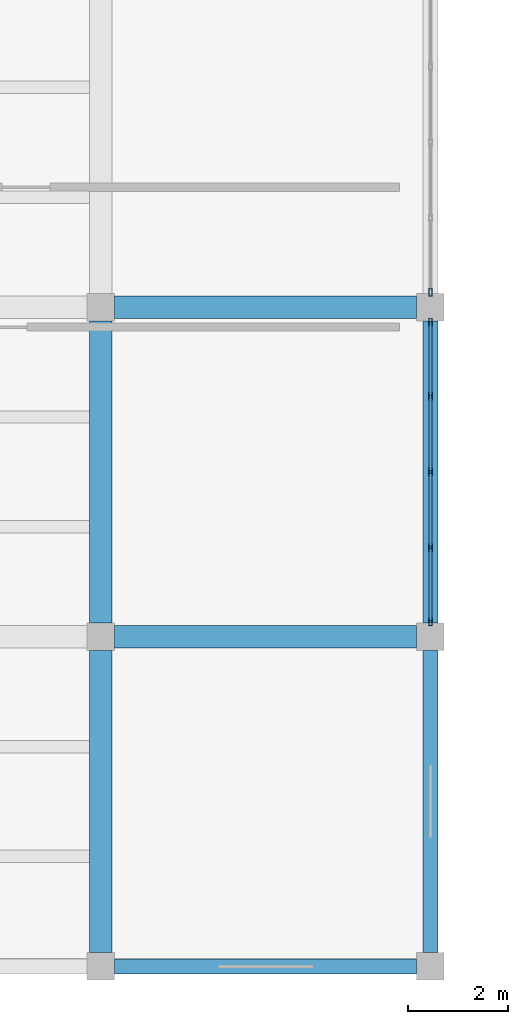
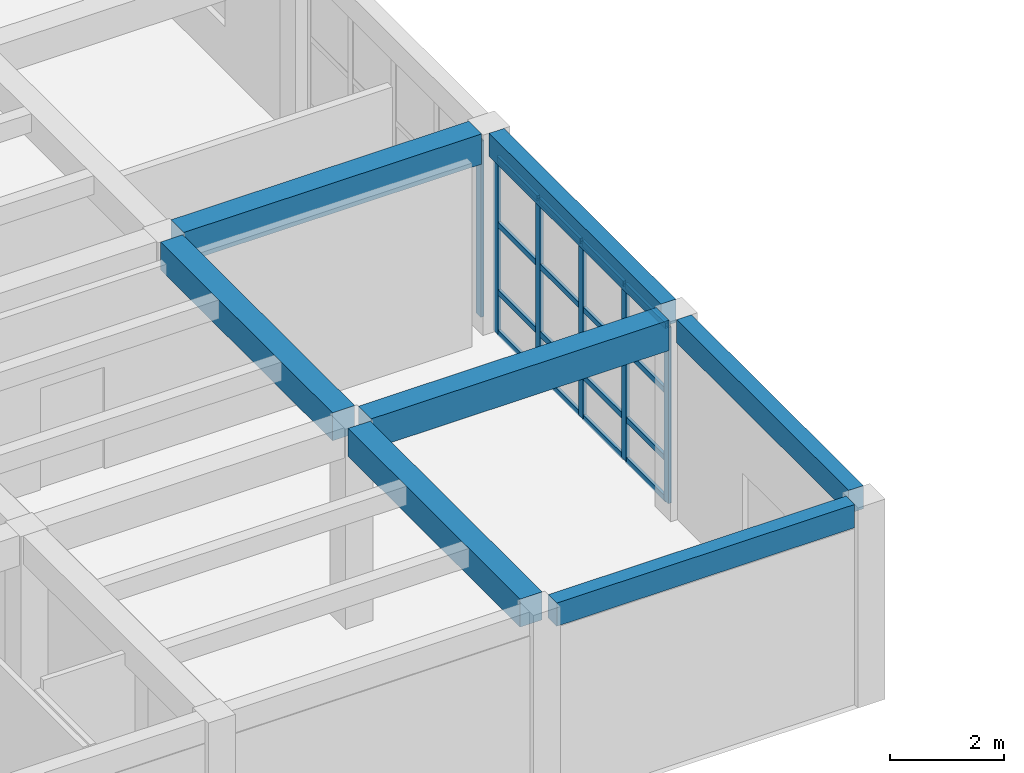
# One storey, part 9 of 48: 22 members, 7 beams, 2 elements without a shape of their own.
"""IFC4 building model written with IfcOpenShell, lengths in metres."""

from ifc_helpers import new_model, si_unit, direction, frame, origin, origin_2d, place, context, subcontext, project, spatial, rectangle, hollow_rectangle, extrude, material, layer, layer_set, material_profile, profile_set, type_object, element, aggregate, save


model = new_model("IFC4")

# Units and contexts
model_context = context("Model", 3, precision=1e-05, world=origin(), true_north=direction((0.0, 1.0)))
body_context = subcontext(model_context, "Body", "Model", "MODEL_VIEW")
ifc_project = project(units=[si_unit("LENGTHUNIT", "METRE"), si_unit("AREAUNIT", "SQUARE_METRE"), si_unit("VOLUMEUNIT", "CUBIC_METRE"), si_unit("PLANEANGLEUNIT", "RADIAN"), si_unit("MASSUNIT", "GRAM", prefix="KILO")], contexts=[model_context])

# Site, building, storey
site_placement = place(None, origin())
site = spatial("IfcSite", under=ifc_project, at=site_placement, CompositionType="ELEMENT")
building_placement = place(site_placement, origin())
building = spatial("IfcBuilding", under=site, at=building_placement, Name="Kharisveld Research Institute", CompositionType="ELEMENT")
storey_placement = place(building_placement, frame((0.0, 0.0, 14.10009765625)))
storey = spatial("IfcBuildingStorey", under=building, at=storey_placement, Name="L03", CompositionType="ELEMENT", Elevation=14.10009765625)

# Beams
ifc_material_1 = material(Name="Concrete C40/50", Category="concrete")
ifc_material_profile_1 = material_profile(ifc_material_1, rectangle(XDim=0.449951171875, YDim=0.60009765625, at=origin_2d()))
ifc_profile_set_1 = profile_set([ifc_material_profile_1], Name="Concrete C40/50")
beam_type_1 = type_object("IfcBeamType", Name="BM_RC_450x600", PredefinedType="BEAM", material=ifc_profile_set_1)
beam_1_placement = place(storey_placement, frame((33.60009765625, 0.47509765625, 4.0), z_axis=(0.0, 1.0, 0.0), x_axis=(-1.0, 0.0, 0.0)))
element("IfcBeam", 1, at=beam_1_placement, inside=storey, type_object=beam_type_1, Name="BM:V3:L03:V5_0", PredefinedType="BEAM", context=body_context, shape_type="SweptSolid", body=[
    extrude(rectangle(XDim=0.449951171875, YDim=0.60009765625, at=origin_2d()), origin(), (0.0, 0.0, 1.0), 6.0498046875),
])
beam_2_placement = place(storey_placement, frame((33.60009765625, 7.074951171875, 4.0), z_axis=(0.0, 1.0, 0.0), x_axis=(-1.0, 0.0, 0.0)))
element("IfcBeam", 2, at=beam_2_placement, inside=storey, type_object=beam_type_1, Name="BM:V3:L03:V5_1", PredefinedType="BEAM", context=body_context, shape_type="SweptSolid", body=[
    extrude(rectangle(XDim=0.449951171875, YDim=0.60009765625, at=origin_2d()), origin(), (0.0, 0.0, 1.0), 6.050048828125),
])
ifc_material_2 = material(Name="Concrete C40/50", Category="concrete")
ifc_material_profile_2 = material_profile(ifc_material_2, rectangle(XDim=0.449951171875, YDim=0.64990234375, at=origin_2d()))
ifc_profile_set_2 = profile_set([ifc_material_profile_2], Name="Concrete C40/50")
beam_type_2 = type_object("IfcBeamType", Name="BM_RC_450x650", PredefinedType="BEAM", material=ifc_profile_set_2)
for number, where, z_axis, x_axis, name in (
    (3, (33.875, 6.800048828125, 3.974853515625), (1.0, 0.0, 0.0), (0.0, 1.0, 0.0), "BM:V3:L03:U5_1"),
    (4, (33.875, 13.39990234375, 3.974853515625), (1.0, 0.0, 0.0), (0.0, 1.0, 0.0), "BM:V3:L03:U5_2"),
):
    element("IfcBeam", number, at=place(storey_placement, frame(where, z_axis=z_axis, x_axis=x_axis)), inside=storey, type_object=beam_type_2, Name=name, PredefinedType="BEAM", context=body_context, shape_type="SweptSolid", body=[
        extrude(rectangle(XDim=0.449951171875, YDim=0.64990234375, at=origin_2d()), origin(), (0.0, 0.0, 1.0), 6.050048828125),
    ])

# Curtain wall, member
ifc_material_3 = material(Name="Thermally Broken Aluminium Curtain Wall", Category="aluminium")
ifc_layer_1 = layer(ifc_material_3, 0.159912109375)
ifc_layer_set_1 = layer_set([ifc_layer_1], Name="CW_SYS_03")
curtain_wall_type_1 = type_object("IfcCurtainWallType", Name="CW_SYS_03", PredefinedType="NOTDEFINED", material=ifc_layer_set_1)
curtain_wall_1_placement = place(storey_placement, origin())
curtain_wall_1 = element("IfcCurtainWall", 5, at=curtain_wall_1_placement, inside=storey, type_object=curtain_wall_type_1, Name="CW:V3:L03:E3", PredefinedType="NOTDEFINED")
ifc_material_4 = material(Name="Anodised Aluminium AW-6063-T6", Category="aluminium")
ifc_material_profile_3 = material_profile(ifc_material_4, hollow_rectangle(XDim=0.06494140625, YDim=0.159912109375, WallThickness=0.00390625, at=origin_2d()))
ifc_profile_set_3 = profile_set([ifc_material_profile_3], Name="Anodised Aluminium AW-6063-T6")
member_type_1 = type_object("IfcMemberType", Name="CW_MUL_160", PredefinedType="MULLION", material=ifc_profile_set_3)
member_1_placement = place(storey_placement, frame((40.199951171875, 13.702392578125, 0.0), z_axis=(0.0, 0.0, 1.0), x_axis=(1.0, 0.0, 0.0)))
member_1 = element("IfcMember", 6, at=member_1_placement, type_object=member_type_1, Name="CW-03 mullion 5", PredefinedType="MULLION", context=body_context, shape_type="SweptSolid", body=[
    extrude(hollow_rectangle(XDim=0.06494140625, YDim=0.159912109375, WallThickness=0.00390625, at=origin_2d()), origin(), (0.0, 0.0, 1.0), 3.77978515625),
])
aggregate(curtain_wall_1, [member_1])

# Curtain wall, members
ifc_material_5 = material(Name="Thermally Broken Aluminium Curtain Wall", Category="aluminium")
ifc_layer_2 = layer(ifc_material_5, 0.159912109375)
ifc_layer_set_2 = layer_set([ifc_layer_2], Name="CW_SYS_04")
curtain_wall_type_2 = type_object("IfcCurtainWallType", Name="CW_SYS_04", PredefinedType="NOTDEFINED", material=ifc_layer_set_2)
curtain_wall_2_placement = place(storey_placement, origin())
curtain_wall_2 = element("IfcCurtainWall", 7, at=curtain_wall_2_placement, inside=storey, type_object=curtain_wall_type_2, Name="CW:V3:L03:E2", PredefinedType="NOTDEFINED")
member_2_placement = place(storey_placement, frame((40.199951171875, 13.097412109375, 0.0), z_axis=(0.0, 0.0, 1.0), x_axis=(1.0, 0.0, 0.0)))
member_2 = element("IfcMember", 8, at=member_2_placement, type_object=member_type_1, Name="CW-04 mullion 1", PredefinedType="MULLION", context=body_context, shape_type="SweptSolid", body=[
    extrude(hollow_rectangle(XDim=0.06494140625, YDim=0.159912109375, WallThickness=0.00390625, at=origin_2d()), origin(), (0.0, 0.0, 1.0), 3.77978515625),
])
member_3_placement = place(storey_placement, frame((40.199951171875, 11.614990234375, 0.0), z_axis=(0.0, 0.0, 1.0), x_axis=(1.0, 0.0, 0.0)))
member_3 = element("IfcMember", 9, at=member_3_placement, type_object=member_type_1, Name="CW-04 mullion 2", PredefinedType="MULLION", context=body_context, shape_type="SweptSolid", body=[
    extrude(hollow_rectangle(XDim=0.06494140625, YDim=0.159912109375, WallThickness=0.00390625, at=origin_2d()), origin(), (0.0, 0.0, 1.0), 3.77978515625),
])
member_4_placement = place(storey_placement, frame((40.199951171875, 10.10009765625, 0.0), z_axis=(0.0, 0.0, 1.0), x_axis=(1.0, 0.0, 0.0)))
member_4 = element("IfcMember", 10, at=member_4_placement, type_object=member_type_1, Name="CW-04 mullion 3", PredefinedType="MULLION", context=body_context, shape_type="SweptSolid", body=[
    extrude(hollow_rectangle(XDim=0.06494140625, YDim=0.159912109375, WallThickness=0.00390625, at=origin_2d()), origin(), (0.0, 0.0, 1.0), 3.77978515625),
])
member_5_placement = place(storey_placement, frame((40.199951171875, 8.5849609375, 0.0), z_axis=(0.0, 0.0, 1.0), x_axis=(1.0, 0.0, 0.0)))
member_5 = element("IfcMember", 11, at=member_5_placement, type_object=member_type_1, Name="CW-04 mullion 4", PredefinedType="MULLION", context=body_context, shape_type="SweptSolid", body=[
    extrude(hollow_rectangle(XDim=0.06494140625, YDim=0.159912109375, WallThickness=0.00390625, at=origin_2d()), origin(), (0.0, 0.0, 1.0), 3.77978515625),
])
member_6_placement = place(storey_placement, frame((40.199951171875, 7.1025390625, 0.0), z_axis=(0.0, 0.0, 1.0), x_axis=(1.0, 0.0, 0.0)))
member_6 = element("IfcMember", 12, at=member_6_placement, type_object=member_type_1, Name="CW-04 mullion 5", PredefinedType="MULLION", context=body_context, shape_type="SweptSolid", body=[
    extrude(hollow_rectangle(XDim=0.06494140625, YDim=0.159912109375, WallThickness=0.00390625, at=origin_2d()), origin(), (0.0, 0.0, 1.0), 3.77978515625),
])
ifc_material_6 = material(Name="Anodised Aluminium AW-6063-T6", Category="aluminium")
ifc_material_profile_4 = material_profile(ifc_material_6, hollow_rectangle(XDim=0.06005859375, YDim=0.1201171875, WallThickness=0.00390625, at=origin_2d()))
ifc_profile_set_4 = profile_set([ifc_material_profile_4], Name="Anodised Aluminium AW-6063-T6")
member_type_2 = type_object("IfcMemberType", Name="CW_TRN_120", PredefinedType="USERDEFINED", material=ifc_profile_set_4)
member_7_placement = place(storey_placement, frame((40.199951171875, 13.06494140625, 0.02978515625), z_axis=(0.0, -1.0, 0.0), x_axis=(1.0, 0.0, 0.0)))
member_7 = element("IfcMember", 13, at=member_7_placement, type_object=member_type_2, Name="CW-04 transom 1.1", ObjectType="TRANSOM", PredefinedType="USERDEFINED", context=body_context, shape_type="SweptSolid", body=[
    extrude(hollow_rectangle(XDim=0.06005859375, YDim=0.1201171875, WallThickness=0.00390625, at=origin_2d()), origin(), (0.0, 0.0, 1.0), 1.41748046875),
])
member_8_placement = place(storey_placement, frame((40.199951171875, 13.06494140625, 0.89990234375), z_axis=(0.0, -1.0, 0.0), x_axis=(1.0, 0.0, 0.0)))
member_8 = element("IfcMember", 14, at=member_8_placement, type_object=member_type_2, Name="CW-04 transom 1.2", ObjectType="TRANSOM", PredefinedType="USERDEFINED", context=body_context, shape_type="SweptSolid", body=[
    extrude(hollow_rectangle(XDim=0.06005859375, YDim=0.1201171875, WallThickness=0.00390625, at=origin_2d()), origin(), (0.0, 0.0, 1.0), 1.41748046875),
])
member_9_placement = place(storey_placement, frame((40.199951171875, 13.06494140625, 2.349853515625), z_axis=(0.0, -1.0, 0.0), x_axis=(1.0, 0.0, 0.0)))
member_9 = element("IfcMember", 15, at=member_9_placement, type_object=member_type_2, Name="CW-04 transom 1.3", ObjectType="TRANSOM", PredefinedType="USERDEFINED", context=body_context, shape_type="SweptSolid", body=[
    extrude(hollow_rectangle(XDim=0.06005859375, YDim=0.1201171875, WallThickness=0.00390625, at=origin_2d()), origin(), (0.0, 0.0, 1.0), 1.41748046875),
])
member_10_placement = place(storey_placement, frame((40.199951171875, 13.06494140625, 3.75), z_axis=(0.0, -1.0, 0.0), x_axis=(1.0, 0.0, 0.0)))
member_10 = element("IfcMember", 16, at=member_10_placement, type_object=member_type_2, Name="CW-04 transom 1.4", ObjectType="TRANSOM", PredefinedType="USERDEFINED", context=body_context, shape_type="SweptSolid", body=[
    extrude(hollow_rectangle(XDim=0.06005859375, YDim=0.1201171875, WallThickness=0.00390625, at=origin_2d()), origin(), (0.0, 0.0, 1.0), 1.41748046875),
])
member_11_placement = place(storey_placement, frame((40.199951171875, 11.58251953125, 0.02978515625), z_axis=(0.0, -1.0, 0.0), x_axis=(1.0, 0.0, 0.0)))
member_11 = element("IfcMember", 17, at=member_11_placement, type_object=member_type_2, Name="CW-04 transom 2.1", ObjectType="TRANSOM", PredefinedType="USERDEFINED", context=body_context, shape_type="SweptSolid", body=[
    extrude(hollow_rectangle(XDim=0.06005859375, YDim=0.1201171875, WallThickness=0.00390625, at=origin_2d()), origin(), (0.0, 0.0, 1.0), 1.449951171875),
])
member_12_placement = place(storey_placement, frame((40.199951171875, 11.58251953125, 0.89990234375), z_axis=(0.0, -1.0, 0.0), x_axis=(1.0, 0.0, 0.0)))
member_12 = element("IfcMember", 18, at=member_12_placement, type_object=member_type_2, Name="CW-04 transom 2.2", ObjectType="TRANSOM", PredefinedType="USERDEFINED", context=body_context, shape_type="SweptSolid", body=[
    extrude(hollow_rectangle(XDim=0.06005859375, YDim=0.1201171875, WallThickness=0.00390625, at=origin_2d()), origin(), (0.0, 0.0, 1.0), 1.449951171875),
])
member_13_placement = place(storey_placement, frame((40.199951171875, 11.58251953125, 2.349853515625), z_axis=(0.0, -1.0, 0.0), x_axis=(1.0, 0.0, 0.0)))
member_13 = element("IfcMember", 19, at=member_13_placement, type_object=member_type_2, Name="CW-04 transom 2.3", ObjectType="TRANSOM", PredefinedType="USERDEFINED", context=body_context, shape_type="SweptSolid", body=[
    extrude(hollow_rectangle(XDim=0.06005859375, YDim=0.1201171875, WallThickness=0.00390625, at=origin_2d()), origin(), (0.0, 0.0, 1.0), 1.449951171875),
])
member_14_placement = place(storey_placement, frame((40.199951171875, 11.58251953125, 3.75), z_axis=(0.0, -1.0, 0.0), x_axis=(1.0, 0.0, 0.0)))
member_14 = element("IfcMember", 20, at=member_14_placement, type_object=member_type_2, Name="CW-04 transom 2.4", ObjectType="TRANSOM", PredefinedType="USERDEFINED", context=body_context, shape_type="SweptSolid", body=[
    extrude(hollow_rectangle(XDim=0.06005859375, YDim=0.1201171875, WallThickness=0.00390625, at=origin_2d()), origin(), (0.0, 0.0, 1.0), 1.449951171875),
])
member_15_placement = place(storey_placement, frame((40.199951171875, 10.0673828125, 0.02978515625), z_axis=(0.0, -1.0, 0.0), x_axis=(1.0, 0.0, 0.0)))
member_15 = element("IfcMember", 21, at=member_15_placement, type_object=member_type_2, Name="CW-04 transom 3.1", ObjectType="TRANSOM", PredefinedType="USERDEFINED", context=body_context, shape_type="SweptSolid", body=[
    extrude(hollow_rectangle(XDim=0.06005859375, YDim=0.1201171875, WallThickness=0.00390625, at=origin_2d()), origin(), (0.0, 0.0, 1.0), 1.449951171875),
])
member_16_placement = place(storey_placement, frame((40.199951171875, 10.0673828125, 0.89990234375), z_axis=(0.0, -1.0, 0.0), x_axis=(1.0, 0.0, 0.0)))
member_16 = element("IfcMember", 22, at=member_16_placement, type_object=member_type_2, Name="CW-04 transom 3.2", ObjectType="TRANSOM", PredefinedType="USERDEFINED", context=body_context, shape_type="SweptSolid", body=[
    extrude(hollow_rectangle(XDim=0.06005859375, YDim=0.1201171875, WallThickness=0.00390625, at=origin_2d()), origin(), (0.0, 0.0, 1.0), 1.449951171875),
])
member_17_placement = place(storey_placement, frame((40.199951171875, 10.0673828125, 2.349853515625), z_axis=(0.0, -1.0, 0.0), x_axis=(1.0, 0.0, 0.0)))
member_17 = element("IfcMember", 23, at=member_17_placement, type_object=member_type_2, Name="CW-04 transom 3.3", ObjectType="TRANSOM", PredefinedType="USERDEFINED", context=body_context, shape_type="SweptSolid", body=[
    extrude(hollow_rectangle(XDim=0.06005859375, YDim=0.1201171875, WallThickness=0.00390625, at=origin_2d()), origin(), (0.0, 0.0, 1.0), 1.449951171875),
])
member_18_placement = place(storey_placement, frame((40.199951171875, 10.0673828125, 3.75), z_axis=(0.0, -1.0, 0.0), x_axis=(1.0, 0.0, 0.0)))
member_18 = element("IfcMember", 24, at=member_18_placement, type_object=member_type_2, Name="CW-04 transom 3.4", ObjectType="TRANSOM", PredefinedType="USERDEFINED", context=body_context, shape_type="SweptSolid", body=[
    extrude(hollow_rectangle(XDim=0.06005859375, YDim=0.1201171875, WallThickness=0.00390625, at=origin_2d()), origin(), (0.0, 0.0, 1.0), 1.449951171875),
])
member_19_placement = place(storey_placement, frame((40.199951171875, 8.552490234375, 0.02978515625), z_axis=(0.0, -1.0, 0.0), x_axis=(1.0, 0.0, 0.0)))
member_19 = element("IfcMember", 25, at=member_19_placement, type_object=member_type_2, Name="CW-04 transom 4.1", ObjectType="TRANSOM", PredefinedType="USERDEFINED", context=body_context, shape_type="SweptSolid", body=[
    extrude(hollow_rectangle(XDim=0.06005859375, YDim=0.1201171875, WallThickness=0.00390625, at=origin_2d()), origin(), (0.0, 0.0, 1.0), 1.41748046875),
])
member_20_placement = place(storey_placement, frame((40.199951171875, 8.552490234375, 0.89990234375), z_axis=(0.0, -1.0, 0.0), x_axis=(1.0, 0.0, 0.0)))
member_20 = element("IfcMember", 26, at=member_20_placement, type_object=member_type_2, Name="CW-04 transom 4.2", ObjectType="TRANSOM", PredefinedType="USERDEFINED", context=body_context, shape_type="SweptSolid", body=[
    extrude(hollow_rectangle(XDim=0.06005859375, YDim=0.1201171875, WallThickness=0.00390625, at=origin_2d()), origin(), (0.0, 0.0, 1.0), 1.41748046875),
])
member_21_placement = place(storey_placement, frame((40.199951171875, 8.552490234375, 2.349853515625), z_axis=(0.0, -1.0, 0.0), x_axis=(1.0, 0.0, 0.0)))
member_21 = element("IfcMember", 27, at=member_21_placement, type_object=member_type_2, Name="CW-04 transom 4.3", ObjectType="TRANSOM", PredefinedType="USERDEFINED", context=body_context, shape_type="SweptSolid", body=[
    extrude(hollow_rectangle(XDim=0.06005859375, YDim=0.1201171875, WallThickness=0.00390625, at=origin_2d()), origin(), (0.0, 0.0, 1.0), 1.41748046875),
])
member_22_placement = place(storey_placement, frame((40.199951171875, 8.552490234375, 3.75), z_axis=(0.0, -1.0, 0.0), x_axis=(1.0, 0.0, 0.0)))
member_22 = element("IfcMember", 28, at=member_22_placement, type_object=member_type_2, Name="CW-04 transom 4.4", ObjectType="TRANSOM", PredefinedType="USERDEFINED", context=body_context, shape_type="SweptSolid", body=[
    extrude(hollow_rectangle(XDim=0.06005859375, YDim=0.1201171875, WallThickness=0.00390625, at=origin_2d()), origin(), (0.0, 0.0, 1.0), 1.41748046875),
])
aggregate(curtain_wall_2, [member_2, member_3, member_4, member_5, member_6, member_7, member_8, member_9, member_10, member_11, member_12, member_13, member_14, member_15, member_16, member_17, member_18, member_19, member_20, member_21, member_22])

# Beams
ifc_material_7 = material(Name="Concrete C40/50", Category="concrete")
ifc_material_profile_5 = material_profile(ifc_material_7, rectangle(XDim=0.300048828125, YDim=0.5, at=origin_2d()))
ifc_profile_set_5 = profile_set([ifc_material_profile_5], Name="Concrete C40/50")
beam_type_3 = type_object("IfcBeamType", Name="SP_RC_300x500", PredefinedType="SPANDREL", material=ifc_profile_set_5)
beam_3_placement = place(storey_placement, frame((33.875, 0.199951171875, 4.0498046875), z_axis=(1.0, 0.0, 0.0), x_axis=(0.0, 1.0, 0.0)))
element("IfcBeam", 29, at=beam_3_placement, inside=storey, type_object=beam_type_3, Name="BM:V3:L03:U5_0", PredefinedType="SPANDREL", context=body_context, shape_type="SweptSolid", body=[
    extrude(rectangle(XDim=0.300048828125, YDim=0.5, at=origin_2d()), origin(), (0.0, 0.0, 1.0), 6.050048828125),
])
beam_4_placement = place(storey_placement, frame((40.199951171875, 0.47509765625, 4.0498046875), z_axis=(0.0, 1.0, 0.0), x_axis=(-1.0, 0.0, 0.0)))
element("IfcBeam", 30, at=beam_4_placement, inside=storey, type_object=beam_type_3, Name="BM:V3:L03:V6_0", PredefinedType="SPANDREL", context=body_context, shape_type="SweptSolid", body=[
    extrude(rectangle(XDim=0.300048828125, YDim=0.5, at=origin_2d()), origin(), (0.0, 0.0, 1.0), 6.0498046875),
])
beam_5_placement = place(storey_placement, frame((40.199951171875, 7.074951171875, 4.0498046875), z_axis=(0.0, 1.0, 0.0), x_axis=(-1.0, 0.0, 0.0)))
element("IfcBeam", 31, at=beam_5_placement, inside=storey, type_object=beam_type_3, Name="BM:V3:L03:V6_1", PredefinedType="SPANDREL", context=body_context, shape_type="SweptSolid", body=[
    extrude(rectangle(XDim=0.300048828125, YDim=0.5, at=origin_2d()), origin(), (0.0, 0.0, 1.0), 6.050048828125),
])

save(model, "model.ifc")
